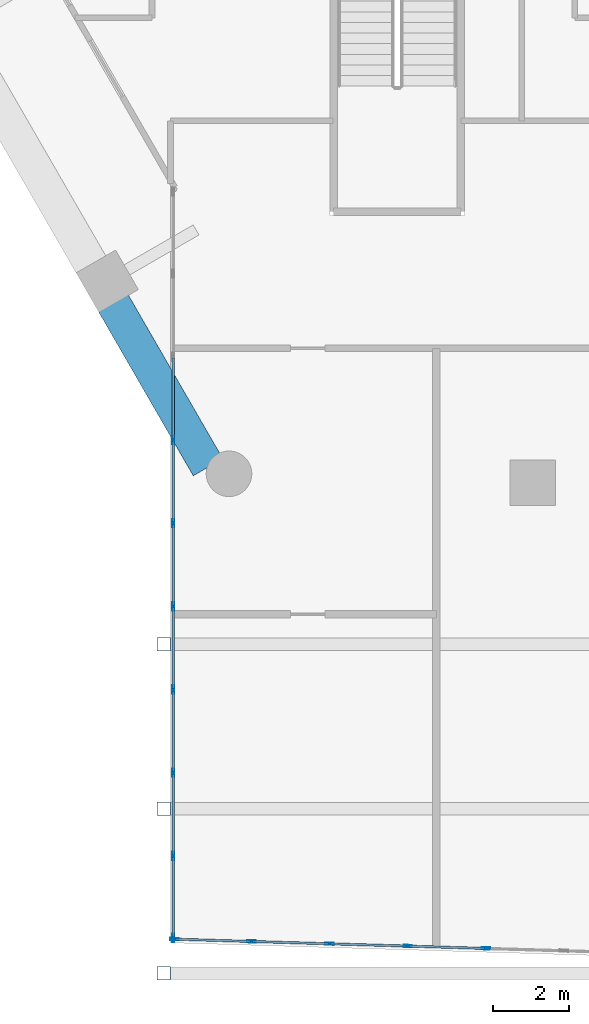
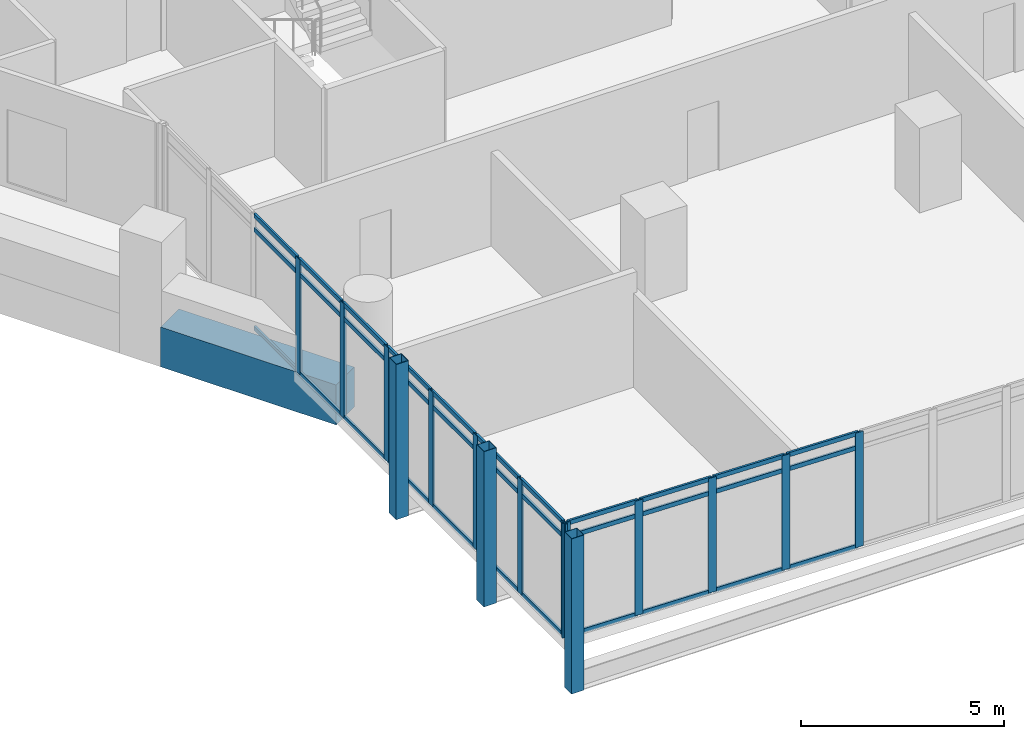
# One storey, part 2 of 28: 48 members, 1 beam, 2 elements without a shape of their own.
"""IFC4 building model written with IfcOpenShell, lengths in metres."""

import ifcopenshell
import ifcopenshell.guid

model = None  # the IFC model being written
_history = None  # IfcOwnerHistory: only IFC2X3 demands one
_inside = {}  # id of a spatial element -> (the spatial element, [elements in it])
_under = {}  # id of a project, library or spatial element -> (it, [spatial elements below it])
_declared = {}  # id of a project -> (the project, [libraries it declares])
_typed = {}  # id of a type object -> (the type object, [elements of that type])
_made_of = {}  # id of a material, layer set ... -> (it, [elements and type objects made of it])


def new_model(schema):
    """Start an empty IFC model of exactly this schema.

    Asked for "IFC4X3", IfcOpenShell would pick the latest addendum, in which some entities
    have other attributes; the version numbers below select the first issue.
    IFC2X3 requires an IfcOwnerHistory on every rooted entity: one is made here for all.
    """
    global model, _history
    if schema == "IFC4X3":
        model = ifcopenshell.file(schema_version=(4, 3, 0, 0))
    else:
        model = ifcopenshell.file(schema=schema)
    _inside.clear()
    _under.clear()
    _declared.clear()
    _typed.clear()
    _made_of.clear()
    _history = None
    if model.schema == "IFC2X3":
        org = make("IfcOrganization", Name="unknown")
        user = make(
            "IfcPersonAndOrganization",
            ThePerson=make("IfcPerson", FamilyName="unknown"),
            TheOrganization=org,
        )
        app = make(
            "IfcApplication",
            ApplicationDeveloper=org,
            Version="unknown",
            ApplicationFullName="unknown",
            ApplicationIdentifier="unknown",
        )
        _history = make(
            "IfcOwnerHistory",
            OwningUser=user,
            OwningApplication=app,
            ChangeAction="ADDED",
            CreationDate=0,
        )
    return model


def make(cls, **values):
    """One entity of the class cls with the attributes given. An attribute that is None is left unset."""
    return model.create_entity(
        cls, **{name: value for name, value in values.items() if value is not None}
    )


def rooted(cls, **values):
    """An entity with a GlobalId (a new one), such as an element, a storey or a relation."""
    return make(cls, GlobalId=ifcopenshell.guid.new(), OwnerHistory=_history, **values)


def si_unit(unit_type, name, prefix=None):
    """IfcSIUnit, for example si_unit("LENGTHUNIT", "METRE", prefix="MILLI")."""
    return make("IfcSIUnit", UnitType=unit_type, Prefix=prefix, Name=name)


def assignment(units):
    """IfcUnitAssignment: the units of a project."""
    return None if units is None else make("IfcUnitAssignment", Units=units)


def point(xyz):
    """IfcCartesianPoint."""
    return None if xyz is None else make("IfcCartesianPoint", Coordinates=xyz)


def direction(xyz):
    """IfcDirection."""
    return None if xyz is None else make("IfcDirection", DirectionRatios=xyz)


def frame(location, z_axis=None, x_axis=None):
    """IfcAxis2Placement3D, a coordinate frame: its origin and axes. An axis left out is left unset."""
    return make(
        "IfcAxis2Placement3D",
        Location=point(location),
        Axis=direction(z_axis),
        RefDirection=direction(x_axis),
    )


def frame_2d(location, x_axis=None):
    """IfcAxis2Placement2D, a coordinate frame in the plane: its origin and x axis."""
    return make(
        "IfcAxis2Placement2D", Location=point(location), RefDirection=direction(x_axis)
    )


def origin():
    """The frame at (0, 0, 0) with its axes left unset."""
    return frame((0.0, 0.0, 0.0))


def origin_2d():
    """The frame at (0, 0) in the plane with its x axis left unset."""
    return frame_2d((0.0, 0.0))


def place(relative_to, where):
    """IfcLocalPlacement: puts the frame where relative to a parent placement (None: the world)."""
    return make(
        "IfcLocalPlacement", PlacementRelTo=relative_to, RelativePlacement=where
    )


def context(
    kind, dimensions, precision=None, world=None, true_north=None, identifier=None
):
    """IfcGeometricRepresentationContext, for example the 3D "Model" context."""
    return make(
        "IfcGeometricRepresentationContext",
        ContextIdentifier=identifier,
        ContextType=kind,
        CoordinateSpaceDimension=dimensions,
        Precision=precision,
        WorldCoordinateSystem=world,
        TrueNorth=true_north,
    )


def subcontext(parent, identifier, kind, view, scale=None):
    """IfcGeometricRepresentationSubContext, for example "Body" below "Model"."""
    return make(
        "IfcGeometricRepresentationSubContext",
        ContextIdentifier=identifier,
        ContextType=kind,
        ParentContext=parent,
        TargetScale=scale,
        TargetView=view,
    )


def project(units=None, contexts=None):
    """IfcProject with its units and contexts."""
    return rooted(
        "IfcProject",
        Name="project",
        RepresentationContexts=contexts,
        UnitsInContext=assignment(units),
    )


def spatial(cls, under=None, at=None, **own):
    """A site, building, storey or space (cls), placed at a placement, below another one or the project."""
    s = rooted(cls, ObjectPlacement=at, **own)
    if under is not None:
        _under.setdefault(under.id(), (under, []))[1].append(s)
    return s


def profile(cls, at=None, kind="AREA", **sizes):
    """A parametric profile (cls). Its sizes go by their IFC names, for example OverallWidth=200.0."""
    return make(cls, ProfileType=kind, Position=at, **sizes)


def rectangle(**sizes):
    """IfcRectangleProfileDef."""
    return profile("IfcRectangleProfileDef", **sizes)


def hollow_rectangle(**sizes):
    """IfcRectangleHollowProfileDef."""
    return profile("IfcRectangleHollowProfileDef", **sizes)


def extrude(swept, where, along, depth):
    """IfcExtrudedAreaSolid: the profile swept, set in the frame where, extruded along a direction by depth."""
    return make(
        "IfcExtrudedAreaSolid",
        SweptArea=swept,
        Position=where,
        ExtrudedDirection=direction(along),
        Depth=depth,
    )


def shape(context_of_items, identifier, shape_type, items):
    """IfcShapeRepresentation: the items that make up one representation, for example the "Body"."""
    return make(
        "IfcShapeRepresentation",
        ContextOfItems=context_of_items,
        RepresentationIdentifier=identifier,
        RepresentationType=shape_type,
        Items=items,
    )


def material(Name=None, Category=None):
    """IfcMaterial."""
    return make("IfcMaterial", Name=Name, Category=Category)


def material_profile(
    of_material, cross_section, Name=None, Category=None, Priority=None
):
    """IfcMaterialProfile: a cross section and its material."""
    return make(
        "IfcMaterialProfile",
        Name=Name,
        Material=of_material,
        Profile=cross_section,
        Priority=Priority,
        Category=Category,
    )


def profile_set(profiles, Name=None, composite=None):
    """IfcMaterialProfileSet."""
    return make(
        "IfcMaterialProfileSet",
        Name=Name,
        MaterialProfiles=profiles,
        CompositeProfile=composite,
    )


def made_of(thing, what):
    """Note that an element or type object is made of a material, layer set ...; save() writes the relation."""
    if what is not None:
        _made_of.setdefault(what.id(), (what, []))[1].append(thing)
    return thing


def type_object(cls, material=None, **own):
    """A type object (cls), such as IfcWallType, which elements share."""
    return made_of(rooted(cls, **own), material)


def element(
    cls,
    number,
    at=None,
    inside=None,
    cuts=None,
    type_object=None,
    material=None,
    context=None,
    identifier="Body",
    shape_type=None,
    held_by="IfcProductDefinitionShape",
    body=None,
    shapes=None,
    **own,
):
    """One element of the class cls, such as IfcWall. Its Tag is "e" and its number.

    at: its placement. inside: the storey or other place that contains it. cuts: it is an
    opening in that element (IfcRelVoidsElement). A single representation is given by context,
    identifier, shape_type and body (its items); several are given by shapes. held_by: the class
    of the entity that holds the representations. save() writes the other relations.
    """
    e = rooted(cls, Tag="e%d" % number, ObjectPlacement=at, **own)
    if body is not None:
        shapes = [shape(context, identifier, shape_type, body)]
    if shapes is not None:
        e.Representation = make(held_by, Representations=shapes)
    if inside is not None:
        _inside.setdefault(inside.id(), (inside, []))[1].append(e)
    if cuts is not None:
        rooted(
            "IfcRelVoidsElement", RelatingBuildingElement=cuts, RelatedOpeningElement=e
        )
    if type_object is not None:
        _typed.setdefault(type_object.id(), (type_object, []))[1].append(e)
    return made_of(e, material)


def aggregate(whole, parts):
    """IfcRelAggregates: a whole, such as a stair, and the parts it consists of."""
    return rooted("IfcRelAggregates", RelatingObject=whole, RelatedObjects=parts)


def save(model, path):
    """Write the relations noted so far, then the file.

    IfcRelAggregates (storeys below a building ...), IfcRelContainedInSpatialStructure (elements
    in a storey), IfcRelDefinesByType, IfcRelAssociatesMaterial and IfcRelDeclares: one each for
    every whole, place, type object, material and project.
    """
    for whole, parts in _under.values():
        aggregate(whole, parts)
    for where, things in _inside.values():
        rooted(
            "IfcRelContainedInSpatialStructure",
            RelatedElements=things,
            RelatingStructure=where,
        )
    for kind, things in _typed.values():
        rooted("IfcRelDefinesByType", RelatedObjects=things, RelatingType=kind)
    for what, things in _made_of.values():
        rooted("IfcRelAssociatesMaterial", RelatedObjects=things, RelatingMaterial=what)
    for by, libraries in _declared.values():
        rooted("IfcRelDeclares", RelatingContext=by, RelatedDefinitions=libraries)
    model.write(path)


model = new_model("IFC4")

# Units and contexts
model_context = context("Model", 3, precision=1e-05, world=origin(), true_north=direction((0.0, 1.0)))
body_context = subcontext(model_context, "Body", "Model", "MODEL_VIEW")
ifc_project = project(units=[si_unit("LENGTHUNIT", "METRE"), si_unit("AREAUNIT", "SQUARE_METRE"), si_unit("VOLUMEUNIT", "CUBIC_METRE"), si_unit("PLANEANGLEUNIT", "RADIAN"), si_unit("MASSUNIT", "GRAM", prefix="KILO")], contexts=[model_context])

# Site, building, storey
site_placement = place(None, origin())
site = spatial("IfcSite", under=ifc_project, at=site_placement, CompositionType="ELEMENT")
building_placement = place(site_placement, origin())
building = spatial("IfcBuilding", under=site, at=building_placement, Name="Ostrander Bayou Hotel Tower", CompositionType="ELEMENT")
storey_placement = place(building_placement, frame((0.0, 0.0, 142.25)))
storey = spatial("IfcBuildingStorey", under=building, at=storey_placement, Name="L35", CompositionType="ELEMENT", Elevation=142.25)

# Curtain wall, members
ifc_material_1 = material(Name="Aluminium and clear glass", Category="aluminium")
curtain_wall_type = type_object("IfcCurtainWallType", Name="CW-BAR glazed wall", PredefinedType="NOTDEFINED", material=ifc_material_1)
curtain_wall_1_placement = place(storey_placement, origin())
curtain_wall_1 = element("IfcCurtainWall", 1, at=curtain_wall_1_placement, inside=storey, type_object=curtain_wall_type, Name="CW-BAR L35:SB3S:E", PredefinedType="NOTDEFINED")
ifc_material_2 = material(Name="Aluminium", Category="aluminium")
ifc_material_profile_1 = material_profile(ifc_material_2, hollow_rectangle(XDim=0.06005859375, YDim=0.219970703125, WallThickness=0.00390625, at=origin_2d()))
ifc_profile_set_1 = profile_set([ifc_material_profile_1], Name="Aluminium")
member_type_1 = type_object("IfcMemberType", Name="CW-BR mullion 60 x 220 mm", PredefinedType="MULLION", material=ifc_profile_set_1)
member_1_placement = place(storey_placement, frame((-13.3671875, -17.41552734375, 0.0), z_axis=(0.0, 0.0, 1.0), x_axis=(1.0, 0.0, 0.0)))
member_1 = element("IfcMember", 2, at=member_1_placement, type_object=member_type_1, Name="CW-BAR mullion 4", PredefinedType="MULLION", context=body_context, shape_type="SweptSolid", body=[
    extrude(hollow_rectangle(XDim=0.06005859375, YDim=0.219970703125, WallThickness=0.00390625, at=origin_2d()), origin(), (0.0, 0.0, 1.0), 3.449951171875),
])
member_2_placement = place(storey_placement, frame((-13.3671875, -19.60498046875, 0.0), z_axis=(0.0, 0.0, 1.0), x_axis=(1.0, 0.0, 0.0)))
member_2 = element("IfcMember", 3, at=member_2_placement, type_object=member_type_1, Name="CW-BAR mullion 5", PredefinedType="MULLION", context=body_context, shape_type="SweptSolid", body=[
    extrude(hollow_rectangle(XDim=0.06005859375, YDim=0.219970703125, WallThickness=0.00390625, at=origin_2d()), origin(), (0.0, 0.0, 1.0), 3.449951171875),
])
member_3_placement = place(storey_placement, frame((-13.3671875, -21.79443359375, 0.0), z_axis=(0.0, 0.0, 1.0), x_axis=(1.0, 0.0, 0.0)))
member_3 = element("IfcMember", 4, at=member_3_placement, type_object=member_type_1, Name="CW-BAR mullion 6", PredefinedType="MULLION", context=body_context, shape_type="SweptSolid", body=[
    extrude(hollow_rectangle(XDim=0.06005859375, YDim=0.219970703125, WallThickness=0.00390625, at=origin_2d()), origin(), (0.0, 0.0, 1.0), 3.449951171875),
])
member_4_placement = place(storey_placement, frame((-13.3671875, -23.98388671875, 0.0), z_axis=(0.0, 0.0, 1.0), x_axis=(1.0, 0.0, 0.0)))
member_4 = element("IfcMember", 5, at=member_4_placement, type_object=member_type_1, Name="CW-BAR mullion 7", PredefinedType="MULLION", context=body_context, shape_type="SweptSolid", body=[
    extrude(hollow_rectangle(XDim=0.06005859375, YDim=0.219970703125, WallThickness=0.00390625, at=origin_2d()), origin(), (0.0, 0.0, 1.0), 3.449951171875),
])
member_5_placement = place(storey_placement, frame((-13.3671875, -26.17333984375, 0.0), z_axis=(0.0, 0.0, 1.0), x_axis=(1.0, 0.0, 0.0)))
member_5 = element("IfcMember", 6, at=member_5_placement, type_object=member_type_1, Name="CW-BAR mullion 8", PredefinedType="MULLION", context=body_context, shape_type="SweptSolid", body=[
    extrude(hollow_rectangle(XDim=0.06005859375, YDim=0.219970703125, WallThickness=0.00390625, at=origin_2d()), origin(), (0.0, 0.0, 1.0), 3.449951171875),
])
member_6_placement = place(storey_placement, frame((-13.3671875, -28.36279296875, 0.0), z_axis=(0.0, 0.0, 1.0), x_axis=(1.0, 0.0, 0.0)))
member_6 = element("IfcMember", 7, at=member_6_placement, type_object=member_type_1, Name="CW-BAR mullion 9", PredefinedType="MULLION", context=body_context, shape_type="SweptSolid", body=[
    extrude(hollow_rectangle(XDim=0.06005859375, YDim=0.219970703125, WallThickness=0.00390625, at=origin_2d()), origin(), (0.0, 0.0, 1.0), 3.449951171875),
])
member_7_placement = place(storey_placement, frame((-13.3671875, -30.522216796875, 0.0), z_axis=(0.0, 0.0, 1.0), x_axis=(1.0, 0.0, 0.0)))
member_7 = element("IfcMember", 8, at=member_7_placement, type_object=member_type_1, Name="CW-BAR mullion 10", PredefinedType="MULLION", context=body_context, shape_type="SweptSolid", body=[
    extrude(hollow_rectangle(XDim=0.06005859375, YDim=0.219970703125, WallThickness=0.00390625, at=origin_2d()), origin(), (0.0, 0.0, 1.0), 3.449951171875),
])

curtain_wall_2_placement = place(storey_placement, origin())
curtain_wall_2 = element("IfcCurtainWall", 9, at=curtain_wall_2_placement, inside=storey, type_object=curtain_wall_type, Name="CW-BAR L35:SB3S:T", PredefinedType="NOTDEFINED")
member_8_placement = place(storey_placement, frame((-13.337158203125, -30.552978515625, 0.0), z_axis=(0.0, 0.0, 1.0), x_axis=(0.029746242041, 0.999557482631, 0.0)))
member_8 = element("IfcMember", 10, at=member_8_placement, type_object=member_type_1, Name="CW-BAR mullion 1", PredefinedType="MULLION", context=body_context, shape_type="SweptSolid", body=[
    extrude(hollow_rectangle(XDim=0.06005859375, YDim=0.219970703125, WallThickness=0.00390625, at=origin_2d()), origin(), (0.0, 0.0, 1.0), 3.449951171875),
])
member_9_placement = place(storey_placement, frame((-11.310791015625, -30.61328125, 0.0), z_axis=(0.0, 0.0, 1.0), x_axis=(0.029746242041, 0.999557482631, 0.0)))
member_9 = element("IfcMember", 11, at=member_9_placement, type_object=member_type_1, Name="CW-BAR mullion 2", PredefinedType="MULLION", context=body_context, shape_type="SweptSolid", body=[
    extrude(hollow_rectangle(XDim=0.06005859375, YDim=0.219970703125, WallThickness=0.00390625, at=origin_2d()), origin(), (0.0, 0.0, 1.0), 3.449951171875),
])
member_10_placement = place(storey_placement, frame((-9.254150390625, -30.674560546875, 0.0), z_axis=(0.0, 0.0, 1.0), x_axis=(0.029746242041, 0.999557482631, 0.0)))
member_10 = element("IfcMember", 12, at=member_10_placement, type_object=member_type_1, Name="CW-BAR mullion 3", PredefinedType="MULLION", context=body_context, shape_type="SweptSolid", body=[
    extrude(hollow_rectangle(XDim=0.06005859375, YDim=0.219970703125, WallThickness=0.00390625, at=origin_2d()), origin(), (0.0, 0.0, 1.0), 3.449951171875),
])
member_11_placement = place(storey_placement, frame((-7.19775390625, -30.73583984375, 0.0), z_axis=(0.0, 0.0, 1.0), x_axis=(0.029746242041, 0.999557482631, 0.0)))
member_11 = element("IfcMember", 13, at=member_11_placement, type_object=member_type_1, Name="CW-BAR mullion 4", PredefinedType="MULLION", context=body_context, shape_type="SweptSolid", body=[
    extrude(hollow_rectangle(XDim=0.06005859375, YDim=0.219970703125, WallThickness=0.00390625, at=origin_2d()), origin(), (0.0, 0.0, 1.0), 3.449951171875),
])
member_12_placement = place(storey_placement, frame((-5.14111328125, -30.797119140625, 0.0), z_axis=(0.0, 0.0, 1.0), x_axis=(0.029746242041, 0.999557482631, 0.0)))
member_12 = element("IfcMember", 14, at=member_12_placement, type_object=member_type_1, Name="CW-BAR mullion 5", PredefinedType="MULLION", context=body_context, shape_type="SweptSolid", body=[
    extrude(hollow_rectangle(XDim=0.06005859375, YDim=0.219970703125, WallThickness=0.00390625, at=origin_2d()), origin(), (0.0, 0.0, 1.0), 3.449951171875),
])

# Member
ifc_material_3 = material(Name="Aluminium", Category="aluminium")
ifc_material_profile_2 = material_profile(ifc_material_3, hollow_rectangle(XDim=0.06005859375, YDim=0.1298828125, WallThickness=0.00390625, at=origin_2d()))
ifc_profile_set_2 = profile_set([ifc_material_profile_2], Name="Aluminium")
member_type_2 = type_object("IfcMemberType", Name="CW-BR transom 60 x 130 mm", PredefinedType="USERDEFINED", material=ifc_profile_set_2)
member_13_placement = place(storey_placement, frame((-13.3671875, -15.256103515625, 0.030029296875), z_axis=(0.0, -1.0, 0.0), x_axis=(1.0, 0.0, 0.0)))
member_13 = element("IfcMember", 15, at=member_13_placement, type_object=member_type_2, Name="CW-BAR transom 3.1", ObjectType="TRANSOM", PredefinedType="USERDEFINED", context=body_context, shape_type="SweptSolid", body=[
    extrude(hollow_rectangle(XDim=0.06005859375, YDim=0.1298828125, WallThickness=0.00390625, at=origin_2d()), origin(), (0.0, 0.0, 1.0), 2.12939453125),
])

member_14_placement = place(storey_placement, frame((-13.3671875, -15.256103515625, 3.0), z_axis=(0.0, -1.0, 0.0), x_axis=(1.0, 0.0, 0.0)))
member_14 = element("IfcMember", 16, at=member_14_placement, type_object=member_type_2, Name="CW-BAR transom 3.2", ObjectType="TRANSOM", PredefinedType="USERDEFINED", context=body_context, shape_type="SweptSolid", body=[
    extrude(hollow_rectangle(XDim=0.06005859375, YDim=0.1298828125, WallThickness=0.00390625, at=origin_2d()), origin(), (0.0, 0.0, 1.0), 2.12939453125),
])

member_15_placement = place(storey_placement, frame((-13.3671875, -15.256103515625, 3.419921875), z_axis=(0.0, -1.0, 0.0), x_axis=(1.0, 0.0, 0.0)))
member_15 = element("IfcMember", 17, at=member_15_placement, type_object=member_type_2, Name="CW-BAR transom 3.3", ObjectType="TRANSOM", PredefinedType="USERDEFINED", context=body_context, shape_type="SweptSolid", body=[
    extrude(hollow_rectangle(XDim=0.06005859375, YDim=0.1298828125, WallThickness=0.00390625, at=origin_2d()), origin(), (0.0, 0.0, 1.0), 2.12939453125),
])

member_16_placement = place(storey_placement, frame((-13.3671875, -17.445556640625, 0.030029296875), z_axis=(0.0, -1.0, 0.0), x_axis=(1.0, 0.0, 0.0)))
member_16 = element("IfcMember", 18, at=member_16_placement, type_object=member_type_2, Name="CW-BAR transom 4.1", ObjectType="TRANSOM", PredefinedType="USERDEFINED", context=body_context, shape_type="SweptSolid", body=[
    extrude(hollow_rectangle(XDim=0.06005859375, YDim=0.1298828125, WallThickness=0.00390625, at=origin_2d()), origin(), (0.0, 0.0, 1.0), 2.12939453125),
])

member_17_placement = place(storey_placement, frame((-13.3671875, -17.445556640625, 3.0), z_axis=(0.0, -1.0, 0.0), x_axis=(1.0, 0.0, 0.0)))
member_17 = element("IfcMember", 19, at=member_17_placement, type_object=member_type_2, Name="CW-BAR transom 4.2", ObjectType="TRANSOM", PredefinedType="USERDEFINED", context=body_context, shape_type="SweptSolid", body=[
    extrude(hollow_rectangle(XDim=0.06005859375, YDim=0.1298828125, WallThickness=0.00390625, at=origin_2d()), origin(), (0.0, 0.0, 1.0), 2.12939453125),
])

member_18_placement = place(storey_placement, frame((-13.3671875, -17.445556640625, 3.419921875), z_axis=(0.0, -1.0, 0.0), x_axis=(1.0, 0.0, 0.0)))
member_18 = element("IfcMember", 20, at=member_18_placement, type_object=member_type_2, Name="CW-BAR transom 4.3", ObjectType="TRANSOM", PredefinedType="USERDEFINED", context=body_context, shape_type="SweptSolid", body=[
    extrude(hollow_rectangle(XDim=0.06005859375, YDim=0.1298828125, WallThickness=0.00390625, at=origin_2d()), origin(), (0.0, 0.0, 1.0), 2.12939453125),
])

member_19_placement = place(storey_placement, frame((-13.3671875, -19.635009765625, 0.030029296875), z_axis=(0.0, -1.0, 0.0), x_axis=(1.0, 0.0, 0.0)))
member_19 = element("IfcMember", 21, at=member_19_placement, type_object=member_type_2, Name="CW-BAR transom 5.1", ObjectType="TRANSOM", PredefinedType="USERDEFINED", context=body_context, shape_type="SweptSolid", body=[
    extrude(hollow_rectangle(XDim=0.06005859375, YDim=0.1298828125, WallThickness=0.00390625, at=origin_2d()), origin(), (0.0, 0.0, 1.0), 2.12939453125),
])

member_20_placement = place(storey_placement, frame((-13.3671875, -19.635009765625, 3.0), z_axis=(0.0, -1.0, 0.0), x_axis=(1.0, 0.0, 0.0)))
member_20 = element("IfcMember", 22, at=member_20_placement, type_object=member_type_2, Name="CW-BAR transom 5.2", ObjectType="TRANSOM", PredefinedType="USERDEFINED", context=body_context, shape_type="SweptSolid", body=[
    extrude(hollow_rectangle(XDim=0.06005859375, YDim=0.1298828125, WallThickness=0.00390625, at=origin_2d()), origin(), (0.0, 0.0, 1.0), 2.12939453125),
])

member_21_placement = place(storey_placement, frame((-13.3671875, -19.635009765625, 3.419921875), z_axis=(0.0, -1.0, 0.0), x_axis=(1.0, 0.0, 0.0)))
member_21 = element("IfcMember", 23, at=member_21_placement, type_object=member_type_2, Name="CW-BAR transom 5.3", ObjectType="TRANSOM", PredefinedType="USERDEFINED", context=body_context, shape_type="SweptSolid", body=[
    extrude(hollow_rectangle(XDim=0.06005859375, YDim=0.1298828125, WallThickness=0.00390625, at=origin_2d()), origin(), (0.0, 0.0, 1.0), 2.12939453125),
])

member_22_placement = place(storey_placement, frame((-13.3671875, -21.824462890625, 0.030029296875), z_axis=(0.0, -1.0, 0.0), x_axis=(1.0, 0.0, 0.0)))
member_22 = element("IfcMember", 24, at=member_22_placement, type_object=member_type_2, Name="CW-BAR transom 6.1", ObjectType="TRANSOM", PredefinedType="USERDEFINED", context=body_context, shape_type="SweptSolid", body=[
    extrude(hollow_rectangle(XDim=0.06005859375, YDim=0.1298828125, WallThickness=0.00390625, at=origin_2d()), origin(), (0.0, 0.0, 1.0), 2.12939453125),
])

member_23_placement = place(storey_placement, frame((-13.3671875, -21.824462890625, 3.0), z_axis=(0.0, -1.0, 0.0), x_axis=(1.0, 0.0, 0.0)))
member_23 = element("IfcMember", 25, at=member_23_placement, type_object=member_type_2, Name="CW-BAR transom 6.2", ObjectType="TRANSOM", PredefinedType="USERDEFINED", context=body_context, shape_type="SweptSolid", body=[
    extrude(hollow_rectangle(XDim=0.06005859375, YDim=0.1298828125, WallThickness=0.00390625, at=origin_2d()), origin(), (0.0, 0.0, 1.0), 2.12939453125),
])

member_24_placement = place(storey_placement, frame((-13.3671875, -21.824462890625, 3.419921875), z_axis=(0.0, -1.0, 0.0), x_axis=(1.0, 0.0, 0.0)))
member_24 = element("IfcMember", 26, at=member_24_placement, type_object=member_type_2, Name="CW-BAR transom 6.3", ObjectType="TRANSOM", PredefinedType="USERDEFINED", context=body_context, shape_type="SweptSolid", body=[
    extrude(hollow_rectangle(XDim=0.06005859375, YDim=0.1298828125, WallThickness=0.00390625, at=origin_2d()), origin(), (0.0, 0.0, 1.0), 2.12939453125),
])

member_25_placement = place(storey_placement, frame((-13.3671875, -24.013916015625, 0.030029296875), z_axis=(0.0, -1.0, 0.0), x_axis=(1.0, 0.0, 0.0)))
member_25 = element("IfcMember", 27, at=member_25_placement, type_object=member_type_2, Name="CW-BAR transom 7.1", ObjectType="TRANSOM", PredefinedType="USERDEFINED", context=body_context, shape_type="SweptSolid", body=[
    extrude(hollow_rectangle(XDim=0.06005859375, YDim=0.1298828125, WallThickness=0.00390625, at=origin_2d()), origin(), (0.0, 0.0, 1.0), 2.12939453125),
])

member_26_placement = place(storey_placement, frame((-13.3671875, -24.013916015625, 3.0), z_axis=(0.0, -1.0, 0.0), x_axis=(1.0, 0.0, 0.0)))
member_26 = element("IfcMember", 28, at=member_26_placement, type_object=member_type_2, Name="CW-BAR transom 7.2", ObjectType="TRANSOM", PredefinedType="USERDEFINED", context=body_context, shape_type="SweptSolid", body=[
    extrude(hollow_rectangle(XDim=0.06005859375, YDim=0.1298828125, WallThickness=0.00390625, at=origin_2d()), origin(), (0.0, 0.0, 1.0), 2.12939453125),
])

member_27_placement = place(storey_placement, frame((-13.3671875, -24.013916015625, 3.419921875), z_axis=(0.0, -1.0, 0.0), x_axis=(1.0, 0.0, 0.0)))
member_27 = element("IfcMember", 29, at=member_27_placement, type_object=member_type_2, Name="CW-BAR transom 7.3", ObjectType="TRANSOM", PredefinedType="USERDEFINED", context=body_context, shape_type="SweptSolid", body=[
    extrude(hollow_rectangle(XDim=0.06005859375, YDim=0.1298828125, WallThickness=0.00390625, at=origin_2d()), origin(), (0.0, 0.0, 1.0), 2.12939453125),
])

member_28_placement = place(storey_placement, frame((-13.3671875, -26.203369140625, 0.030029296875), z_axis=(0.0, -1.0, 0.0), x_axis=(1.0, 0.0, 0.0)))
member_28 = element("IfcMember", 30, at=member_28_placement, type_object=member_type_2, Name="CW-BAR transom 8.1", ObjectType="TRANSOM", PredefinedType="USERDEFINED", context=body_context, shape_type="SweptSolid", body=[
    extrude(hollow_rectangle(XDim=0.06005859375, YDim=0.1298828125, WallThickness=0.00390625, at=origin_2d()), origin(), (0.0, 0.0, 1.0), 2.12939453125),
])

member_29_placement = place(storey_placement, frame((-13.3671875, -26.203369140625, 3.0), z_axis=(0.0, -1.0, 0.0), x_axis=(1.0, 0.0, 0.0)))
member_29 = element("IfcMember", 31, at=member_29_placement, type_object=member_type_2, Name="CW-BAR transom 8.2", ObjectType="TRANSOM", PredefinedType="USERDEFINED", context=body_context, shape_type="SweptSolid", body=[
    extrude(hollow_rectangle(XDim=0.06005859375, YDim=0.1298828125, WallThickness=0.00390625, at=origin_2d()), origin(), (0.0, 0.0, 1.0), 2.12939453125),
])

member_30_placement = place(storey_placement, frame((-13.3671875, -26.203369140625, 3.419921875), z_axis=(0.0, -1.0, 0.0), x_axis=(1.0, 0.0, 0.0)))
member_30 = element("IfcMember", 32, at=member_30_placement, type_object=member_type_2, Name="CW-BAR transom 8.3", ObjectType="TRANSOM", PredefinedType="USERDEFINED", context=body_context, shape_type="SweptSolid", body=[
    extrude(hollow_rectangle(XDim=0.06005859375, YDim=0.1298828125, WallThickness=0.00390625, at=origin_2d()), origin(), (0.0, 0.0, 1.0), 2.12939453125),
])

member_31_placement = place(storey_placement, frame((-13.3671875, -28.392822265625, 0.030029296875), z_axis=(0.0, -1.0, 0.0), x_axis=(1.0, 0.0, 0.0)))
member_31 = element("IfcMember", 33, at=member_31_placement, type_object=member_type_2, Name="CW-BAR transom 9.1", ObjectType="TRANSOM", PredefinedType="USERDEFINED", context=body_context, shape_type="SweptSolid", body=[
    extrude(hollow_rectangle(XDim=0.06005859375, YDim=0.1298828125, WallThickness=0.00390625, at=origin_2d()), origin(), (0.0, 0.0, 1.0), 2.099365234375),
])

member_32_placement = place(storey_placement, frame((-13.3671875, -28.392822265625, 3.0), z_axis=(0.0, -1.0, 0.0), x_axis=(1.0, 0.0, 0.0)))
member_32 = element("IfcMember", 34, at=member_32_placement, type_object=member_type_2, Name="CW-BAR transom 9.2", ObjectType="TRANSOM", PredefinedType="USERDEFINED", context=body_context, shape_type="SweptSolid", body=[
    extrude(hollow_rectangle(XDim=0.06005859375, YDim=0.1298828125, WallThickness=0.00390625, at=origin_2d()), origin(), (0.0, 0.0, 1.0), 2.099365234375),
])

member_33_placement = place(storey_placement, frame((-13.3671875, -28.392822265625, 3.419921875), z_axis=(0.0, -1.0, 0.0), x_axis=(1.0, 0.0, 0.0)))
member_33 = element("IfcMember", 35, at=member_33_placement, type_object=member_type_2, Name="CW-BAR transom 9.3", ObjectType="TRANSOM", PredefinedType="USERDEFINED", context=body_context, shape_type="SweptSolid", body=[
    extrude(hollow_rectangle(XDim=0.06005859375, YDim=0.1298828125, WallThickness=0.00390625, at=origin_2d()), origin(), (0.0, 0.0, 1.0), 2.099365234375),
])

aggregate(curtain_wall_1, [member_1, member_2, member_3, member_4, member_5, member_6, member_7, member_13, member_14, member_15, member_16, member_17, member_18, member_19, member_20, member_21, member_22, member_23, member_24, member_25, member_26, member_27, member_28, member_29, member_30, member_31, member_32, member_33])

member_34_placement = place(storey_placement, frame((-13.30712890625, -30.553955078125, 0.030029296875), z_axis=(0.999556419591, -0.029781941738, 0.0), x_axis=(0.029781941738, 0.999556419591, 0.0)))
member_34 = element("IfcMember", 36, at=member_34_placement, type_object=member_type_2, Name="CW-BAR transom 1.1", ObjectType="TRANSOM", PredefinedType="USERDEFINED", context=body_context, shape_type="SweptSolid", body=[
    extrude(hollow_rectangle(XDim=0.06005859375, YDim=0.1298828125, WallThickness=0.00390625, at=origin_2d()), origin(), (0.0, 0.0, 1.0), 1.967529296875),
])

member_35_placement = place(storey_placement, frame((-13.30712890625, -30.553955078125, 3.0), z_axis=(0.999556419591, -0.029781941738, 0.0), x_axis=(0.029781941738, 0.999556419591, 0.0)))
member_35 = element("IfcMember", 37, at=member_35_placement, type_object=member_type_2, Name="CW-BAR transom 1.2", ObjectType="TRANSOM", PredefinedType="USERDEFINED", context=body_context, shape_type="SweptSolid", body=[
    extrude(hollow_rectangle(XDim=0.06005859375, YDim=0.1298828125, WallThickness=0.00390625, at=origin_2d()), origin(), (0.0, 0.0, 1.0), 1.967529296875),
])

member_36_placement = place(storey_placement, frame((-13.30712890625, -30.553955078125, 3.419921875), z_axis=(0.999556419591, -0.029781941738, 0.0), x_axis=(0.029781941738, 0.999556419591, 0.0)))
member_36 = element("IfcMember", 38, at=member_36_placement, type_object=member_type_2, Name="CW-BAR transom 1.3", ObjectType="TRANSOM", PredefinedType="USERDEFINED", context=body_context, shape_type="SweptSolid", body=[
    extrude(hollow_rectangle(XDim=0.06005859375, YDim=0.1298828125, WallThickness=0.00390625, at=origin_2d()), origin(), (0.0, 0.0, 1.0), 1.967529296875),
])

member_37_placement = place(storey_placement, frame((-11.28076171875, -30.6142578125, 0.030029296875), z_axis=(0.999555199151, -0.029822874614, 0.0), x_axis=(0.029822874614, 0.999555199151, 0.0)))
member_37 = element("IfcMember", 39, at=member_37_placement, type_object=member_type_2, Name="CW-BAR transom 2.1", ObjectType="TRANSOM", PredefinedType="USERDEFINED", context=body_context, shape_type="SweptSolid", body=[
    extrude(hollow_rectangle(XDim=0.06005859375, YDim=0.1298828125, WallThickness=0.00390625, at=origin_2d()), origin(), (0.0, 0.0, 1.0), 1.99755859375),
])

member_38_placement = place(storey_placement, frame((-11.28076171875, -30.6142578125, 3.0), z_axis=(0.999555199151, -0.029822874614, 0.0), x_axis=(0.029822874614, 0.999555199151, 0.0)))
member_38 = element("IfcMember", 40, at=member_38_placement, type_object=member_type_2, Name="CW-BAR transom 2.2", ObjectType="TRANSOM", PredefinedType="USERDEFINED", context=body_context, shape_type="SweptSolid", body=[
    extrude(hollow_rectangle(XDim=0.06005859375, YDim=0.1298828125, WallThickness=0.00390625, at=origin_2d()), origin(), (0.0, 0.0, 1.0), 1.99755859375),
])

member_39_placement = place(storey_placement, frame((-11.28076171875, -30.6142578125, 3.419921875), z_axis=(0.999555199151, -0.029822874614, 0.0), x_axis=(0.029822874614, 0.999555199151, 0.0)))
member_39 = element("IfcMember", 41, at=member_39_placement, type_object=member_type_2, Name="CW-BAR transom 2.3", ObjectType="TRANSOM", PredefinedType="USERDEFINED", context=body_context, shape_type="SweptSolid", body=[
    extrude(hollow_rectangle(XDim=0.06005859375, YDim=0.1298828125, WallThickness=0.00390625, at=origin_2d()), origin(), (0.0, 0.0, 1.0), 1.99755859375),
])

member_40_placement = place(storey_placement, frame((-9.22412109375, -30.675537109375, 0.030029296875), z_axis=(0.999558727342, -0.029704386785, 0.0), x_axis=(0.029704386785, 0.999558727342, 0.0)))
member_40 = element("IfcMember", 42, at=member_40_placement, type_object=member_type_2, Name="CW-BAR transom 3.1", ObjectType="TRANSOM", PredefinedType="USERDEFINED", context=body_context, shape_type="SweptSolid", body=[
    extrude(hollow_rectangle(XDim=0.06005859375, YDim=0.1298828125, WallThickness=0.00390625, at=origin_2d()), origin(), (0.0, 0.0, 1.0), 1.997314453125),
])

member_41_placement = place(storey_placement, frame((-9.22412109375, -30.675537109375, 3.0), z_axis=(0.999558727342, -0.029704386785, 0.0), x_axis=(0.029704386785, 0.999558727342, 0.0)))
member_41 = element("IfcMember", 43, at=member_41_placement, type_object=member_type_2, Name="CW-BAR transom 3.2", ObjectType="TRANSOM", PredefinedType="USERDEFINED", context=body_context, shape_type="SweptSolid", body=[
    extrude(hollow_rectangle(XDim=0.06005859375, YDim=0.1298828125, WallThickness=0.00390625, at=origin_2d()), origin(), (0.0, 0.0, 1.0), 1.997314453125),
])

member_42_placement = place(storey_placement, frame((-9.22412109375, -30.675537109375, 3.419921875), z_axis=(0.999558727342, -0.029704386785, 0.0), x_axis=(0.029704386785, 0.999558727342, 0.0)))
member_42 = element("IfcMember", 44, at=member_42_placement, type_object=member_type_2, Name="CW-BAR transom 3.3", ObjectType="TRANSOM", PredefinedType="USERDEFINED", context=body_context, shape_type="SweptSolid", body=[
    extrude(hollow_rectangle(XDim=0.06005859375, YDim=0.1298828125, WallThickness=0.00390625, at=origin_2d()), origin(), (0.0, 0.0, 1.0), 1.997314453125),
])

member_43_placement = place(storey_placement, frame((-7.167724609375, -30.736572265625, 0.030029296875), z_axis=(0.999555199151, -0.029822874614, 0.0), x_axis=(0.029822874614, 0.999555199151, 0.0)))
member_43 = element("IfcMember", 45, at=member_43_placement, type_object=member_type_2, Name="CW-BAR transom 4.1", ObjectType="TRANSOM", PredefinedType="USERDEFINED", context=body_context, shape_type="SweptSolid", body=[
    extrude(hollow_rectangle(XDim=0.06005859375, YDim=0.1298828125, WallThickness=0.00390625, at=origin_2d()), origin(), (0.0, 0.0, 1.0), 1.99755859375),
])

member_44_placement = place(storey_placement, frame((-7.167724609375, -30.736572265625, 3.0), z_axis=(0.999555199151, -0.029822874614, 0.0), x_axis=(0.029822874614, 0.999555199151, 0.0)))
member_44 = element("IfcMember", 46, at=member_44_placement, type_object=member_type_2, Name="CW-BAR transom 4.2", ObjectType="TRANSOM", PredefinedType="USERDEFINED", context=body_context, shape_type="SweptSolid", body=[
    extrude(hollow_rectangle(XDim=0.06005859375, YDim=0.1298828125, WallThickness=0.00390625, at=origin_2d()), origin(), (0.0, 0.0, 1.0), 1.99755859375),
])

member_45_placement = place(storey_placement, frame((-7.167724609375, -30.736572265625, 3.419921875), z_axis=(0.999555199151, -0.029822874614, 0.0), x_axis=(0.029822874614, 0.999555199151, 0.0)))
member_45 = element("IfcMember", 47, at=member_45_placement, type_object=member_type_2, Name="CW-BAR transom 4.3", ObjectType="TRANSOM", PredefinedType="USERDEFINED", context=body_context, shape_type="SweptSolid", body=[
    extrude(hollow_rectangle(XDim=0.06005859375, YDim=0.1298828125, WallThickness=0.00390625, at=origin_2d()), origin(), (0.0, 0.0, 1.0), 1.99755859375),
])

aggregate(curtain_wall_2, [member_8, member_9, member_10, member_11, member_12, member_34, member_35, member_36, member_37, member_38, member_39, member_40, member_41, member_42, member_43, member_44, member_45])

# Beam
ifc_material_4 = material(Name="Concrete f'c 70 MPa", Category="concrete")
ifc_material_profile_3 = material_profile(ifc_material_4, rectangle(XDim=0.89990234375, YDim=1.199951171875, at=origin_2d()))
ifc_profile_set_3 = profile_set([ifc_material_profile_3], Name="Concrete f'c 70 MPa")
beam_type = type_object("IfcBeamType", Name="SP2 spandrel beam 900 x 1200 mm f'c 70 MPa", PredefinedType="SPANDREL", material=ifc_profile_set_3)
beam_placement = place(storey_placement, frame((-14.9521484375, -13.802001953125, -0.60009765625), z_axis=(0.499974782844, -0.866039962427, 0.0), x_axis=(0.866039962427, 0.499974782844, 0.0)))
element("IfcBeam", 48, at=beam_placement, inside=storey, type_object=beam_type, Name="SP2 L35 SW-3", PredefinedType="SPANDREL", context=body_context, shape_type="SweptSolid", body=[
    extrude(rectangle(XDim=0.89990234375, YDim=1.199951171875, at=origin_2d()), origin(), (0.0, 0.0, 1.0), 4.997314453125),
])

# Members
ifc_material_5 = material(Name="Steel ASTM A500 Gr C", Category="steel")
ifc_material_profile_4 = material_profile(ifc_material_5, hollow_rectangle(XDim=0.355712890625, YDim=0.355712890625, WallThickness=0.0146484375, at=origin_2d()))
ifc_profile_set_4 = profile_set([ifc_material_profile_4], Name="Steel ASTM A500 Gr C")
member_type_3 = type_object("IfcMemberType", Name="TH1 bar hanger HSS14x14x5/8", PredefinedType="POST", material=ifc_profile_set_4)
for number, where, z_axis, x_axis, name in (
    (49, (-13.6201171875, -22.794677734375, -0.921875), (0.0, 0.0, 1.0), (1.0, 0.0, 0.0), "TH1 SB3SA H1-4"),
    (50, (-13.6201171875, -27.122314453125, -0.921875), (0.0, 0.0, 1.0), (1.0, 0.0, 0.0), "TH1 SB3SA H2-4"),
    (51, (-13.6201171875, -31.449951171875, -0.921875), (0.0, 0.0, 1.0), (1.0, 0.0, 0.0), "TH1 SB3SA H3-4"),
):
    element("IfcMember", number, at=place(storey_placement, frame(where, z_axis=z_axis, x_axis=x_axis)), inside=storey, type_object=member_type_3, Name=name, PredefinedType="POST", context=body_context, shape_type="SweptSolid", body=[
        extrude(hollow_rectangle(XDim=0.355712890625, YDim=0.355712890625, WallThickness=0.0146484375, at=origin_2d()), origin(), (0.0, 0.0, 1.0), 4.671875),
    ])

save(model, "model.ifc")
